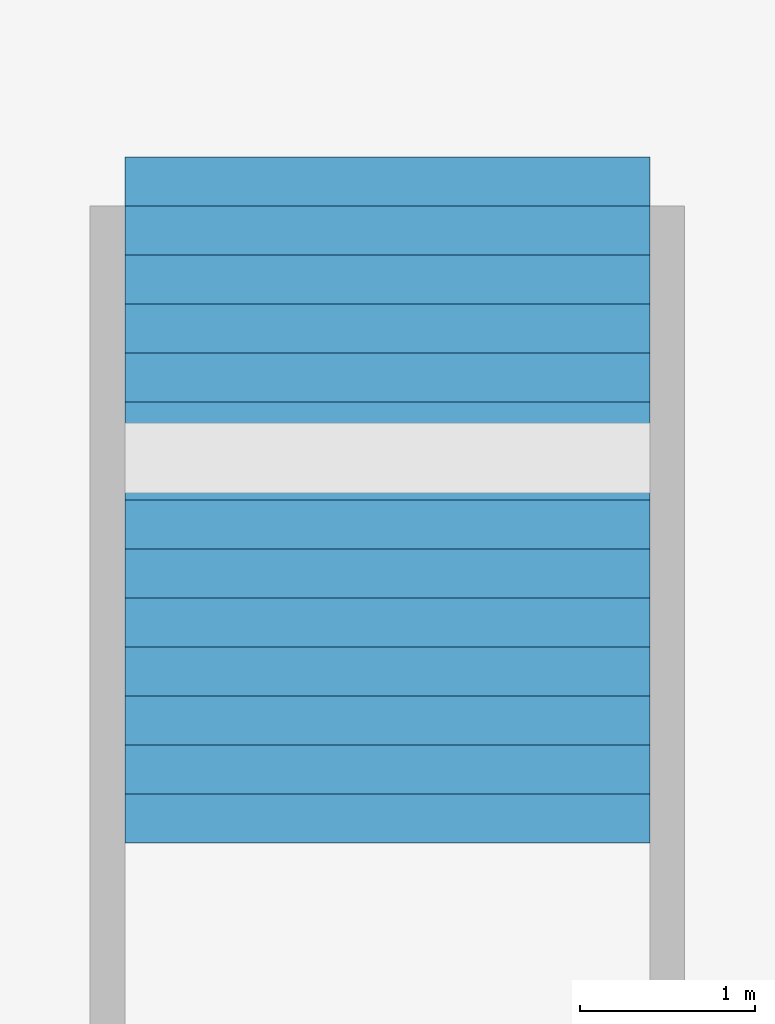
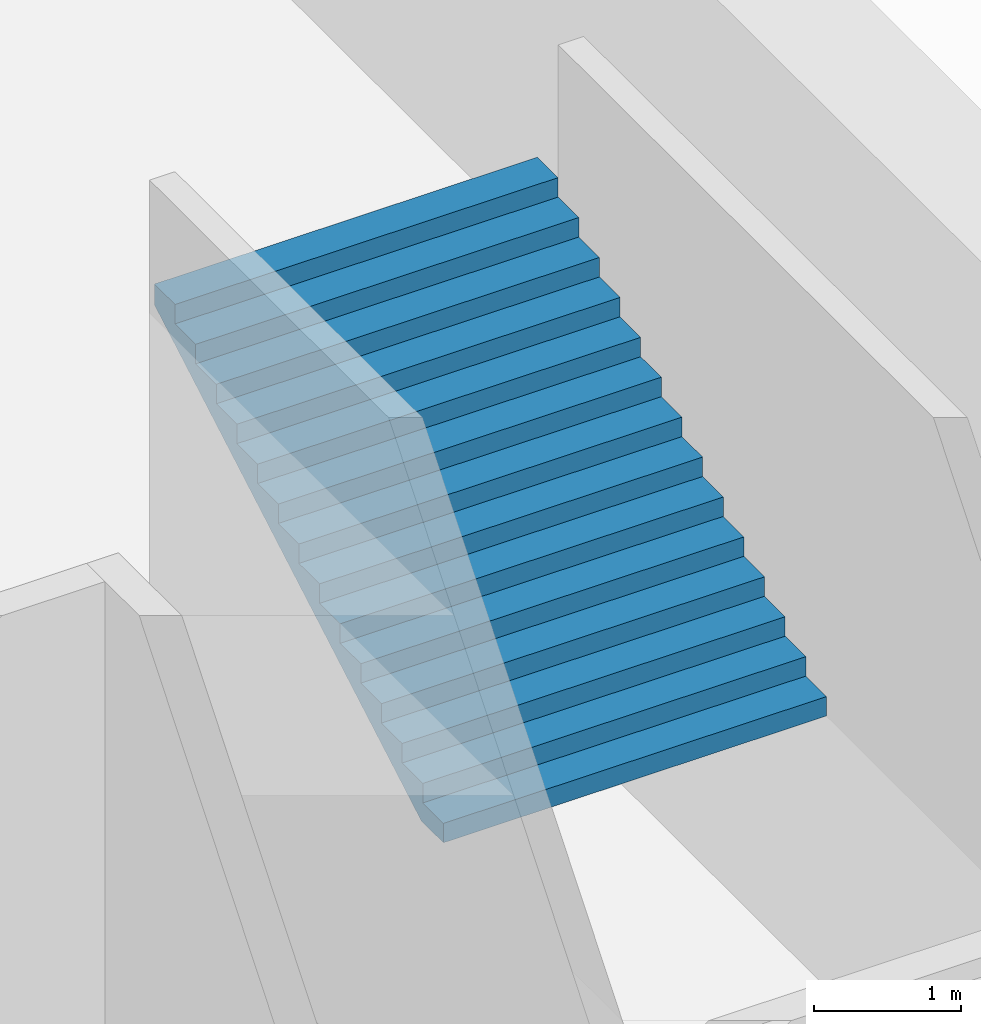
# One storey, part 89 of 115: 1 stair flight, 1 element without a shape of its own.
"""IFC4 building model written with IfcOpenShell, lengths in metres."""

from ifc_helpers import new_model, si_unit, direction, frame, origin, place, context, subcontext, project, spatial, faceted_brep, material, type_object, element, aggregate, save


model = new_model("IFC4")

# Units and contexts
model_context = context("Model", 3, precision=1e-05, world=origin(), true_north=direction((0.0, 1.0)))
body_context = subcontext(model_context, "Body", "Model", "MODEL_VIEW")
ifc_project = project(units=[si_unit("LENGTHUNIT", "METRE"), si_unit("AREAUNIT", "SQUARE_METRE"), si_unit("VOLUMEUNIT", "CUBIC_METRE"), si_unit("PLANEANGLEUNIT", "RADIAN"), si_unit("MASSUNIT", "GRAM", prefix="KILO")], contexts=[model_context])

# Site, building, storey
site_placement = place(None, origin())
site = spatial("IfcSite", under=ifc_project, at=site_placement, CompositionType="ELEMENT")
building_placement = place(site_placement, origin())
building = spatial("IfcBuilding", under=site, at=building_placement, Name="Ogive Plaza Stadium", CompositionType="ELEMENT")
storey_placement = place(building_placement, frame((0.0, 0.0, -4.5)))
storey = spatial("IfcBuildingStorey", under=building, at=storey_placement, Name="B1", CompositionType="ELEMENT", Elevation=-4.5)

# Stair, stair flight
ifc_material_1 = material(Name="Concrete C40/50", Category="concrete")
stair_type = type_object("IfcStairType", Name="Station stair 3000", PredefinedType="TWO_STRAIGHT_RUN_STAIR", material=ifc_material_1)
stair_placement = place(storey_placement, origin())
stair = element("IfcStair", 1, at=stair_placement, inside=storey, type_object=stair_type, Name="Stair QS2", PredefinedType="TWO_STRAIGHT_RUN_STAIR")
ifc_material_2 = material(Name="Concrete C40/50", Category="concrete")
stair_flight_type = type_object("IfcStairFlightType", Name="Station stair flight 3000", PredefinedType="STRAIGHT", material=ifc_material_2)
stair_flight_placement = place(storey_placement, frame((114.89990234375, -12.639892578125, 2.25), z_axis=(0.0, 0.0, 1.0), x_axis=(0.0, 1.0, 0.0)))
stair_flight = element("IfcStairFlight", 2, at=stair_flight_placement, type_object=stair_flight_type, Name="QS2 flight 2", NumberOfRisers=14, NumberOfTreads=13, PredefinedType="STRAIGHT", RiserHeight=0.160714286, TreadLength=0.28, context=body_context, shape_type="Brep", body=[
    faceted_brep([(0.301025390625, -1.5, 0.0), (3.919921875, -1.5, 2.0771484375), (3.919921875, -1.5, 2.25), (3.639892578125, -1.5, 2.25), (3.639892578125, -1.5, 2.08935546875), (3.360107421875, -1.5, 2.08935546875), (3.360107421875, -1.5, 1.928466796875), (3.080078125, -1.5, 1.928466796875), (3.080078125, -1.5, 1.767822265625), (2.800048828125, -1.5, 1.767822265625), (2.800048828125, -1.5, 1.607177734375), (2.52001953125, -1.5, 1.607177734375), (2.52001953125, -1.5, 1.446533203125), (2.239990234375, -1.5, 1.446533203125), (2.239990234375, -1.5, 1.28564453125), (1.9599609375, -1.5, 1.28564453125), (1.9599609375, -1.5, 1.125), (1.679931640625, -1.5, 1.125), (1.679931640625, -1.5, 0.96435546875), (1.39990234375, -1.5, 0.96435546875), (1.39990234375, -1.5, 0.803466796875), (1.1201171875, -1.5, 0.803466796875), (1.1201171875, -1.5, 0.642822265625), (0.840087890625, -1.5, 0.642822265625), (0.840087890625, -1.5, 0.482177734375), (0.56005859375, -1.5, 0.482177734375), (0.56005859375, -1.5, 0.321533203125), (0.280029296875, -1.5, 0.321533203125), (0.280029296875, -1.5, 0.16064453125), (0.0, -1.5, 0.16064453125), (0.0, -1.5, 0.0), (0.0, 1.5, 0.0), (0.0, 1.5, 0.16064453125), (0.280029296875, 1.5, 0.16064453125), (0.280029296875, 1.5, 0.321533203125), (0.56005859375, 1.5, 0.321533203125), (0.56005859375, 1.5, 0.482177734375), (0.840087890625, 1.5, 0.482177734375), (0.840087890625, 1.5, 0.642822265625), (1.1201171875, 1.5, 0.642822265625), (1.1201171875, 1.5, 0.803466796875), (1.39990234375, 1.5, 0.803466796875), (1.39990234375, 1.5, 0.96435546875), (1.679931640625, 1.5, 0.96435546875), (1.679931640625, 1.5, 1.125), (1.9599609375, 1.5, 1.125), (1.9599609375, 1.5, 1.28564453125), (2.239990234375, 1.5, 1.28564453125), (2.239990234375, 1.5, 1.446533203125), (2.52001953125, 1.5, 1.446533203125), (2.52001953125, 1.5, 1.607177734375), (2.800048828125, 1.5, 1.607177734375), (2.800048828125, 1.5, 1.767822265625), (3.080078125, 1.5, 1.767822265625), (3.080078125, 1.5, 1.928466796875), (3.360107421875, 1.5, 1.928466796875), (3.360107421875, 1.5, 2.08935546875), (3.639892578125, 1.5, 2.08935546875), (3.639892578125, 1.5, 2.25), (3.919921875, 1.5, 2.25), (3.919921875, 1.5, 2.0771484375), (0.301025390625, 1.5, 0.0), (0.301025390625, -1.166748046875, 0.0), (3.919921875, -1.166748046875, 2.0771484375), (0.301025390625, -0.833251953125, 0.0), (3.919921875, -0.833251953125, 2.0771484375), (0.301025390625, -0.5, 0.0), (3.919921875, -0.5, 2.0771484375), (0.301025390625, -0.166748046875, 0.0), (3.919921875, -0.166748046875, 2.0771484375), (0.301025390625, 0.166748046875, 0.0), (3.919921875, 0.166748046875, 2.0771484375), (0.301025390625, 0.5, 0.0), (3.919921875, 0.5, 2.0771484375), (0.301025390625, 0.833251953125, 0.0), (3.919921875, 0.833251953125, 2.0771484375), (0.301025390625, 1.166748046875, 0.0), (3.919921875, 1.166748046875, 2.0771484375), (3.919921875, -1.166748046875, 2.25), (3.919921875, -0.833251953125, 2.25), (3.919921875, -0.5, 2.25), (3.919921875, -0.166748046875, 2.25), (3.919921875, 0.166748046875, 2.25), (3.919921875, 0.5, 2.25), (3.919921875, 0.833251953125, 2.25), (3.919921875, 1.166748046875, 2.25), (3.639892578125, -1.166748046875, 2.25), (3.639892578125, -0.833251953125, 2.25), (3.639892578125, -0.5, 2.25), (3.639892578125, -0.166748046875, 2.25), (3.639892578125, 0.166748046875, 2.25), (3.639892578125, 0.5, 2.25), (3.639892578125, 0.833251953125, 2.25), (3.639892578125, 1.166748046875, 2.25), (3.639892578125, -1.166748046875, 2.08935546875), (3.639892578125, -0.833251953125, 2.08935546875), (3.639892578125, -0.5, 2.08935546875), (3.639892578125, -0.166748046875, 2.08935546875), (3.639892578125, 0.166748046875, 2.08935546875), (3.639892578125, 0.5, 2.08935546875), (3.639892578125, 0.833251953125, 2.08935546875), (3.639892578125, 1.166748046875, 2.08935546875), (3.360107421875, -1.166748046875, 2.08935546875), (3.360107421875, -0.833251953125, 2.08935546875), (3.360107421875, -0.5, 2.08935546875), (3.360107421875, -0.166748046875, 2.08935546875), (3.360107421875, 0.166748046875, 2.08935546875), (3.360107421875, 0.5, 2.08935546875), (3.360107421875, 0.833251953125, 2.08935546875), (3.360107421875, 1.166748046875, 2.08935546875), (3.360107421875, -1.166748046875, 1.928466796875), (3.360107421875, -0.833251953125, 1.928466796875), (3.360107421875, -0.5, 1.928466796875), (3.360107421875, -0.166748046875, 1.928466796875), (3.360107421875, 0.166748046875, 1.928466796875), (3.360107421875, 0.5, 1.928466796875), (3.360107421875, 0.833251953125, 1.928466796875), (3.360107421875, 1.166748046875, 1.928466796875), (3.080078125, -1.166748046875, 1.928466796875), (3.080078125, -0.833251953125, 1.928466796875), (3.080078125, -0.5, 1.928466796875), (3.080078125, -0.166748046875, 1.928466796875), (3.080078125, 0.166748046875, 1.928466796875), (3.080078125, 0.5, 1.928466796875), (3.080078125, 0.833251953125, 1.928466796875), (3.080078125, 1.166748046875, 1.928466796875), (3.080078125, -1.166748046875, 1.767822265625), (3.080078125, -0.833251953125, 1.767822265625), (3.080078125, -0.5, 1.767822265625), (3.080078125, -0.166748046875, 1.767822265625), (3.080078125, 0.166748046875, 1.767822265625), (3.080078125, 0.5, 1.767822265625), (3.080078125, 0.833251953125, 1.767822265625), (3.080078125, 1.166748046875, 1.767822265625), (2.800048828125, -1.166748046875, 1.767822265625), (2.800048828125, -0.833251953125, 1.767822265625), (2.800048828125, -0.5, 1.767822265625), (2.800048828125, -0.166748046875, 1.767822265625), (2.800048828125, 0.166748046875, 1.767822265625), (2.800048828125, 0.5, 1.767822265625), (2.800048828125, 0.833251953125, 1.767822265625), (2.800048828125, 1.166748046875, 1.767822265625), (2.800048828125, -1.166748046875, 1.607177734375), (2.800048828125, -0.833251953125, 1.607177734375), (2.800048828125, -0.5, 1.607177734375), (2.800048828125, -0.166748046875, 1.607177734375), (2.800048828125, 0.166748046875, 1.607177734375), (2.800048828125, 0.5, 1.607177734375), (2.800048828125, 0.833251953125, 1.607177734375), (2.800048828125, 1.166748046875, 1.607177734375), (2.52001953125, -1.166748046875, 1.607177734375), (2.52001953125, -0.833251953125, 1.607177734375), (2.52001953125, -0.5, 1.607177734375), (2.52001953125, -0.166748046875, 1.607177734375), (2.52001953125, 0.166748046875, 1.607177734375), (2.52001953125, 0.5, 1.607177734375), (2.52001953125, 0.833251953125, 1.607177734375), (2.52001953125, 1.166748046875, 1.607177734375), (2.52001953125, -1.166748046875, 1.446533203125), (2.52001953125, -0.833251953125, 1.446533203125), (2.52001953125, -0.5, 1.446533203125), (2.52001953125, -0.166748046875, 1.446533203125), (2.52001953125, 0.166748046875, 1.446533203125), (2.52001953125, 0.5, 1.446533203125), (2.52001953125, 0.833251953125, 1.446533203125), (2.52001953125, 1.166748046875, 1.446533203125), (2.239990234375, -1.166748046875, 1.446533203125), (2.239990234375, -0.833251953125, 1.446533203125), (2.239990234375, -0.5, 1.446533203125), (2.239990234375, -0.166748046875, 1.446533203125), (2.239990234375, 0.166748046875, 1.446533203125), (2.239990234375, 0.5, 1.446533203125), (2.239990234375, 0.833251953125, 1.446533203125), (2.239990234375, 1.166748046875, 1.446533203125), (2.239990234375, -1.166748046875, 1.28564453125), (2.239990234375, -0.833251953125, 1.28564453125), (2.239990234375, -0.5, 1.28564453125), (2.239990234375, -0.166748046875, 1.28564453125), (2.239990234375, 0.166748046875, 1.28564453125), (2.239990234375, 0.5, 1.28564453125), (2.239990234375, 0.833251953125, 1.28564453125), (2.239990234375, 1.166748046875, 1.28564453125), (1.9599609375, -1.166748046875, 1.28564453125), (1.9599609375, -0.833251953125, 1.28564453125), (1.9599609375, -0.5, 1.28564453125), (1.9599609375, -0.166748046875, 1.28564453125), (1.9599609375, 0.166748046875, 1.28564453125), (1.9599609375, 0.5, 1.28564453125), (1.9599609375, 0.833251953125, 1.28564453125), (1.9599609375, 1.166748046875, 1.28564453125), (1.9599609375, -1.166748046875, 1.125), (1.9599609375, -0.833251953125, 1.125), (1.9599609375, -0.5, 1.125), (1.9599609375, -0.166748046875, 1.125), (1.9599609375, 0.166748046875, 1.125), (1.9599609375, 0.5, 1.125), (1.9599609375, 0.833251953125, 1.125), (1.9599609375, 1.166748046875, 1.125), (1.679931640625, -1.166748046875, 1.125), (1.679931640625, -0.833251953125, 1.125), (1.679931640625, -0.5, 1.125), (1.679931640625, -0.166748046875, 1.125), (1.679931640625, 0.166748046875, 1.125), (1.679931640625, 0.5, 1.125), (1.679931640625, 0.833251953125, 1.125), (1.679931640625, 1.166748046875, 1.125), (1.679931640625, -1.166748046875, 0.96435546875), (1.679931640625, -0.833251953125, 0.96435546875), (1.679931640625, -0.5, 0.96435546875), (1.679931640625, -0.166748046875, 0.96435546875), (1.679931640625, 0.166748046875, 0.96435546875), (1.679931640625, 0.5, 0.96435546875), (1.679931640625, 0.833251953125, 0.96435546875), (1.679931640625, 1.166748046875, 0.96435546875), (1.39990234375, -1.166748046875, 0.96435546875), (1.39990234375, -0.833251953125, 0.96435546875), (1.39990234375, -0.5, 0.96435546875), (1.39990234375, -0.166748046875, 0.96435546875), (1.39990234375, 0.166748046875, 0.96435546875), (1.39990234375, 0.5, 0.96435546875), (1.39990234375, 0.833251953125, 0.96435546875), (1.39990234375, 1.166748046875, 0.96435546875), (1.39990234375, -1.166748046875, 0.803466796875), (1.39990234375, -0.833251953125, 0.803466796875), (1.39990234375, -0.5, 0.803466796875), (1.39990234375, -0.166748046875, 0.803466796875), (1.39990234375, 0.166748046875, 0.803466796875), (1.39990234375, 0.5, 0.803466796875), (1.39990234375, 0.833251953125, 0.803466796875), (1.39990234375, 1.166748046875, 0.803466796875), (1.1201171875, -1.166748046875, 0.803466796875), (1.1201171875, -0.833251953125, 0.803466796875), (1.1201171875, -0.5, 0.803466796875), (1.1201171875, -0.166748046875, 0.803466796875), (1.1201171875, 0.166748046875, 0.803466796875), (1.1201171875, 0.5, 0.803466796875), (1.1201171875, 0.833251953125, 0.803466796875), (1.1201171875, 1.166748046875, 0.803466796875), (1.1201171875, -1.166748046875, 0.642822265625), (1.1201171875, -0.833251953125, 0.642822265625), (1.1201171875, -0.5, 0.642822265625), (1.1201171875, -0.166748046875, 0.642822265625), (1.1201171875, 0.166748046875, 0.642822265625), (1.1201171875, 0.5, 0.642822265625), (1.1201171875, 0.833251953125, 0.642822265625), (1.1201171875, 1.166748046875, 0.642822265625), (0.840087890625, -1.166748046875, 0.642822265625), (0.840087890625, -0.833251953125, 0.642822265625), (0.840087890625, -0.5, 0.642822265625), (0.840087890625, -0.166748046875, 0.642822265625), (0.840087890625, 0.166748046875, 0.642822265625), (0.840087890625, 0.5, 0.642822265625), (0.840087890625, 0.833251953125, 0.642822265625), (0.840087890625, 1.166748046875, 0.642822265625), (0.840087890625, -1.166748046875, 0.482177734375), (0.840087890625, -0.833251953125, 0.482177734375), (0.840087890625, -0.5, 0.482177734375), (0.840087890625, -0.166748046875, 0.482177734375), (0.840087890625, 0.166748046875, 0.482177734375), (0.840087890625, 0.5, 0.482177734375), (0.840087890625, 0.833251953125, 0.482177734375), (0.840087890625, 1.166748046875, 0.482177734375), (0.56005859375, -1.166748046875, 0.482177734375), (0.56005859375, -0.833251953125, 0.482177734375), (0.56005859375, -0.5, 0.482177734375), (0.56005859375, -0.166748046875, 0.482177734375), (0.56005859375, 0.166748046875, 0.482177734375), (0.56005859375, 0.5, 0.482177734375), (0.56005859375, 0.833251953125, 0.482177734375), (0.56005859375, 1.166748046875, 0.482177734375), (0.56005859375, -1.166748046875, 0.321533203125), (0.56005859375, -0.833251953125, 0.321533203125), (0.56005859375, -0.5, 0.321533203125), (0.56005859375, -0.166748046875, 0.321533203125), (0.56005859375, 0.166748046875, 0.321533203125), (0.56005859375, 0.5, 0.321533203125), (0.56005859375, 0.833251953125, 0.321533203125), (0.56005859375, 1.166748046875, 0.321533203125), (0.280029296875, -1.166748046875, 0.321533203125), (0.280029296875, -0.833251953125, 0.321533203125), (0.280029296875, -0.5, 0.321533203125), (0.280029296875, -0.166748046875, 0.321533203125), (0.280029296875, 0.166748046875, 0.321533203125), (0.280029296875, 0.5, 0.321533203125), (0.280029296875, 0.833251953125, 0.321533203125), (0.280029296875, 1.166748046875, 0.321533203125), (0.280029296875, -1.166748046875, 0.16064453125), (0.280029296875, -0.833251953125, 0.16064453125), (0.280029296875, -0.5, 0.16064453125), (0.280029296875, -0.166748046875, 0.16064453125), (0.280029296875, 0.166748046875, 0.16064453125), (0.280029296875, 0.5, 0.16064453125), (0.280029296875, 0.833251953125, 0.16064453125), (0.280029296875, 1.166748046875, 0.16064453125), (0.0, -1.166748046875, 0.16064453125), (0.0, -0.833251953125, 0.16064453125), (0.0, -0.5, 0.16064453125), (0.0, -0.166748046875, 0.16064453125), (0.0, 0.166748046875, 0.16064453125), (0.0, 0.5, 0.16064453125), (0.0, 0.833251953125, 0.16064453125), (0.0, 1.166748046875, 0.16064453125), (0.0, -1.166748046875, 0.0), (0.0, -0.833251953125, 0.0), (0.0, -0.5, 0.0), (0.0, -0.166748046875, 0.0), (0.0, 0.166748046875, 0.0), (0.0, 0.5, 0.0), (0.0, 0.833251953125, 0.0), (0.0, 1.166748046875, 0.0)], [[[0, 1, 2, 3, 4, 5, 6, 7, 8, 9, 10, 11, 12, 13, 14, 15, 16, 17, 18, 19, 20, 21, 22, 23, 24, 25, 26, 27, 28, 29, 30]], [[31, 32, 33, 34, 35, 36, 37, 38, 39, 40, 41, 42, 43, 44, 45, 46, 47, 48, 49, 50, 51, 52, 53, 54, 55, 56, 57, 58, 59, 60, 61]], [[0, 62, 63, 1]], [[62, 64, 65, 63]], [[64, 66, 67, 65]], [[66, 68, 69, 67]], [[68, 70, 71, 69]], [[70, 72, 73, 71]], [[72, 74, 75, 73]], [[74, 76, 77, 75]], [[76, 61, 60, 77]], [[1, 63, 78, 2]], [[63, 65, 79, 78]], [[65, 67, 80, 79]], [[67, 69, 81, 80]], [[69, 71, 82, 81]], [[71, 73, 83, 82]], [[73, 75, 84, 83]], [[75, 77, 85, 84]], [[77, 60, 59, 85]], [[2, 78, 86, 3]], [[78, 79, 87, 86]], [[79, 80, 88, 87]], [[80, 81, 89, 88]], [[81, 82, 90, 89]], [[82, 83, 91, 90]], [[83, 84, 92, 91]], [[84, 85, 93, 92]], [[85, 59, 58, 93]], [[3, 86, 94, 4]], [[86, 87, 95, 94]], [[87, 88, 96, 95]], [[88, 89, 97, 96]], [[89, 90, 98, 97]], [[90, 91, 99, 98]], [[91, 92, 100, 99]], [[92, 93, 101, 100]], [[93, 58, 57, 101]], [[4, 94, 102, 5]], [[94, 95, 103, 102]], [[95, 96, 104, 103]], [[96, 97, 105, 104]], [[97, 98, 106, 105]], [[98, 99, 107, 106]], [[99, 100, 108, 107]], [[100, 101, 109, 108]], [[101, 57, 56, 109]], [[5, 102, 110, 6]], [[102, 103, 111, 110]], [[103, 104, 112, 111]], [[104, 105, 113, 112]], [[105, 106, 114, 113]], [[106, 107, 115, 114]], [[107, 108, 116, 115]], [[108, 109, 117, 116]], [[109, 56, 55, 117]], [[6, 110, 118, 7]], [[110, 111, 119, 118]], [[111, 112, 120, 119]], [[112, 113, 121, 120]], [[113, 114, 122, 121]], [[114, 115, 123, 122]], [[115, 116, 124, 123]], [[116, 117, 125, 124]], [[117, 55, 54, 125]], [[7, 118, 126, 8]], [[118, 119, 127, 126]], [[119, 120, 128, 127]], [[120, 121, 129, 128]], [[121, 122, 130, 129]], [[122, 123, 131, 130]], [[123, 124, 132, 131]], [[124, 125, 133, 132]], [[125, 54, 53, 133]], [[8, 126, 134, 9]], [[126, 127, 135, 134]], [[127, 128, 136, 135]], [[128, 129, 137, 136]], [[129, 130, 138, 137]], [[130, 131, 139, 138]], [[131, 132, 140, 139]], [[132, 133, 141, 140]], [[133, 53, 52, 141]], [[9, 134, 142, 10]], [[134, 135, 143, 142]], [[135, 136, 144, 143]], [[136, 137, 145, 144]], [[137, 138, 146, 145]], [[138, 139, 147, 146]], [[139, 140, 148, 147]], [[140, 141, 149, 148]], [[141, 52, 51, 149]], [[10, 142, 150, 11]], [[142, 143, 151, 150]], [[143, 144, 152, 151]], [[144, 145, 153, 152]], [[145, 146, 154, 153]], [[146, 147, 155, 154]], [[147, 148, 156, 155]], [[148, 149, 157, 156]], [[149, 51, 50, 157]], [[11, 150, 158, 12]], [[150, 151, 159, 158]], [[151, 152, 160, 159]], [[152, 153, 161, 160]], [[153, 154, 162, 161]], [[154, 155, 163, 162]], [[155, 156, 164, 163]], [[156, 157, 165, 164]], [[157, 50, 49, 165]], [[12, 158, 166, 13]], [[158, 159, 167, 166]], [[159, 160, 168, 167]], [[160, 161, 169, 168]], [[161, 162, 170, 169]], [[162, 163, 171, 170]], [[163, 164, 172, 171]], [[164, 165, 173, 172]], [[165, 49, 48, 173]], [[13, 166, 174, 14]], [[166, 167, 175, 174]], [[167, 168, 176, 175]], [[168, 169, 177, 176]], [[169, 170, 178, 177]], [[170, 171, 179, 178]], [[171, 172, 180, 179]], [[172, 173, 181, 180]], [[173, 48, 47, 181]], [[14, 174, 182, 15]], [[174, 175, 183, 182]], [[175, 176, 184, 183]], [[176, 177, 185, 184]], [[177, 178, 186, 185]], [[178, 179, 187, 186]], [[179, 180, 188, 187]], [[180, 181, 189, 188]], [[181, 47, 46, 189]], [[15, 182, 190, 16]], [[182, 183, 191, 190]], [[183, 184, 192, 191]], [[184, 185, 193, 192]], [[185, 186, 194, 193]], [[186, 187, 195, 194]], [[187, 188, 196, 195]], [[188, 189, 197, 196]], [[189, 46, 45, 197]], [[16, 190, 198, 17]], [[190, 191, 199, 198]], [[191, 192, 200, 199]], [[192, 193, 201, 200]], [[193, 194, 202, 201]], [[194, 195, 203, 202]], [[195, 196, 204, 203]], [[196, 197, 205, 204]], [[197, 45, 44, 205]], [[17, 198, 206, 18]], [[198, 199, 207, 206]], [[199, 200, 208, 207]], [[200, 201, 209, 208]], [[201, 202, 210, 209]], [[202, 203, 211, 210]], [[203, 204, 212, 211]], [[204, 205, 213, 212]], [[205, 44, 43, 213]], [[18, 206, 214, 19]], [[206, 207, 215, 214]], [[207, 208, 216, 215]], [[208, 209, 217, 216]], [[209, 210, 218, 217]], [[210, 211, 219, 218]], [[211, 212, 220, 219]], [[212, 213, 221, 220]], [[213, 43, 42, 221]], [[19, 214, 222, 20]], [[214, 215, 223, 222]], [[215, 216, 224, 223]], [[216, 217, 225, 224]], [[217, 218, 226, 225]], [[218, 219, 227, 226]], [[219, 220, 228, 227]], [[220, 221, 229, 228]], [[221, 42, 41, 229]], [[20, 222, 230, 21]], [[222, 223, 231, 230]], [[223, 224, 232, 231]], [[224, 225, 233, 232]], [[225, 226, 234, 233]], [[226, 227, 235, 234]], [[227, 228, 236, 235]], [[228, 229, 237, 236]], [[229, 41, 40, 237]], [[21, 230, 238, 22]], [[230, 231, 239, 238]], [[231, 232, 240, 239]], [[232, 233, 241, 240]], [[233, 234, 242, 241]], [[234, 235, 243, 242]], [[235, 236, 244, 243]], [[236, 237, 245, 244]], [[237, 40, 39, 245]], [[22, 238, 246, 23]], [[238, 239, 247, 246]], [[239, 240, 248, 247]], [[240, 241, 249, 248]], [[241, 242, 250, 249]], [[242, 243, 251, 250]], [[243, 244, 252, 251]], [[244, 245, 253, 252]], [[245, 39, 38, 253]], [[23, 246, 254, 24]], [[246, 247, 255, 254]], [[247, 248, 256, 255]], [[248, 249, 257, 256]], [[249, 250, 258, 257]], [[250, 251, 259, 258]], [[251, 252, 260, 259]], [[252, 253, 261, 260]], [[253, 38, 37, 261]], [[24, 254, 262, 25]], [[254, 255, 263, 262]], [[255, 256, 264, 263]], [[256, 257, 265, 264]], [[257, 258, 266, 265]], [[258, 259, 267, 266]], [[259, 260, 268, 267]], [[260, 261, 269, 268]], [[261, 37, 36, 269]], [[25, 262, 270, 26]], [[262, 263, 271, 270]], [[263, 264, 272, 271]], [[264, 265, 273, 272]], [[265, 266, 274, 273]], [[266, 267, 275, 274]], [[267, 268, 276, 275]], [[268, 269, 277, 276]], [[269, 36, 35, 277]], [[26, 270, 278, 27]], [[270, 271, 279, 278]], [[271, 272, 280, 279]], [[272, 273, 281, 280]], [[273, 274, 282, 281]], [[274, 275, 283, 282]], [[275, 276, 284, 283]], [[276, 277, 285, 284]], [[277, 35, 34, 285]], [[27, 278, 286, 28]], [[278, 279, 287, 286]], [[279, 280, 288, 287]], [[280, 281, 289, 288]], [[281, 282, 290, 289]], [[282, 283, 291, 290]], [[283, 284, 292, 291]], [[284, 285, 293, 292]], [[285, 34, 33, 293]], [[28, 286, 294, 29]], [[286, 287, 295, 294]], [[287, 288, 296, 295]], [[288, 289, 297, 296]], [[289, 290, 298, 297]], [[290, 291, 299, 298]], [[291, 292, 300, 299]], [[292, 293, 301, 300]], [[293, 33, 32, 301]], [[29, 294, 302, 30]], [[294, 295, 303, 302]], [[295, 296, 304, 303]], [[296, 297, 305, 304]], [[297, 298, 306, 305]], [[298, 299, 307, 306]], [[299, 300, 308, 307]], [[300, 301, 309, 308]], [[301, 32, 31, 309]], [[30, 302, 62, 0]], [[302, 303, 64, 62]], [[303, 304, 66, 64]], [[304, 305, 68, 66]], [[305, 306, 70, 68]], [[306, 307, 72, 70]], [[307, 308, 74, 72]], [[308, 309, 76, 74]], [[309, 31, 61, 76]]]),
])
aggregate(stair, [stair_flight])

save(model, "model.ifc")
